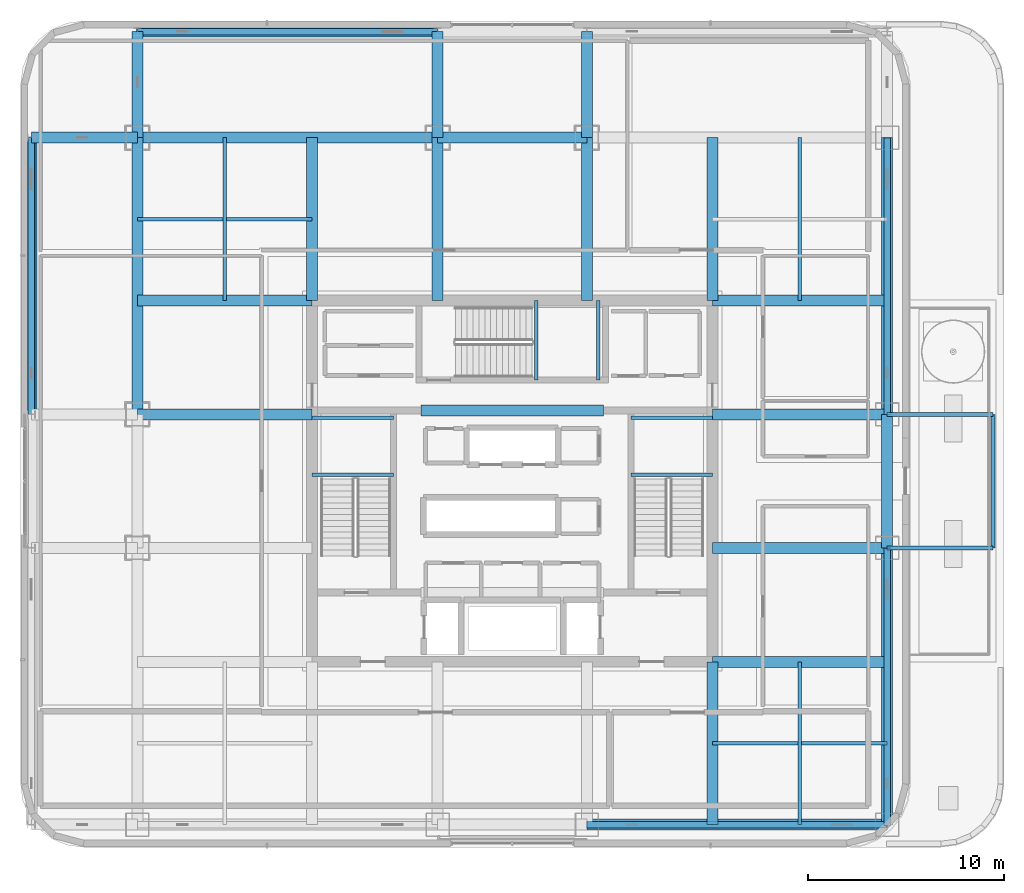
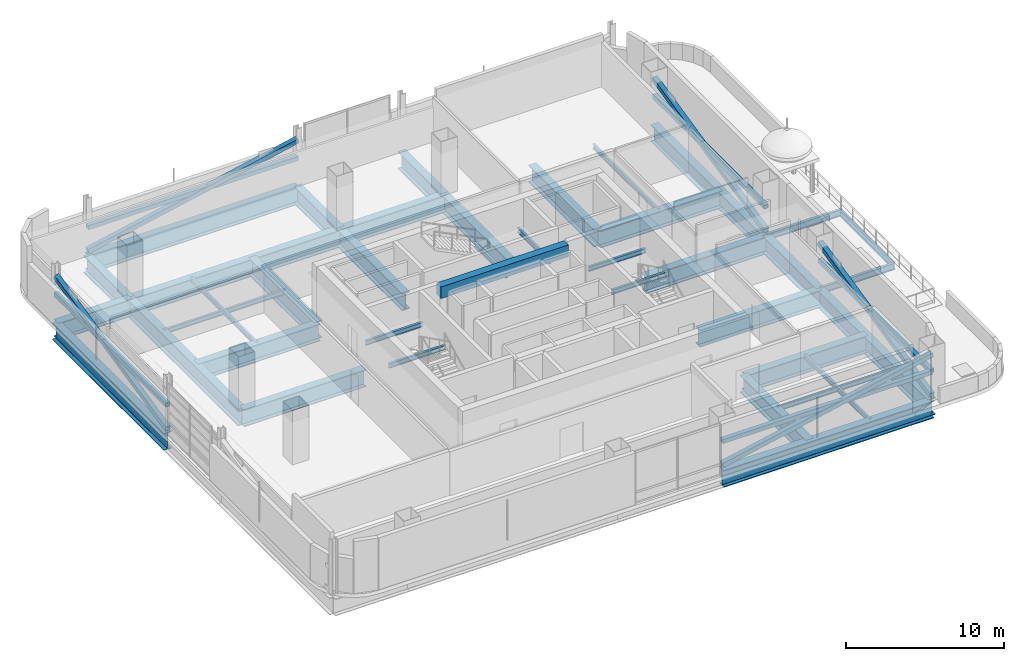
# One storey, part 6 of 31: 39 beams, 10 members.
"""IFC4 building model written with IfcOpenShell, lengths in metres."""

from ifc_helpers import new_model, si_unit, direction, frame, origin, origin_2d, place, context, subcontext, project, spatial, rectangle, hollow_rectangle, i_section, extrude, material, material_profile, profile_set, type_object, element, save


model = new_model("IFC4")

# Units and contexts
model_context = context("Model", 3, precision=1e-05, world=origin(), true_north=direction((0.0, 1.0)))
body_context = subcontext(model_context, "Body", "Model", "MODEL_VIEW")
ifc_project = project(units=[si_unit("LENGTHUNIT", "METRE"), si_unit("AREAUNIT", "SQUARE_METRE"), si_unit("VOLUMEUNIT", "CUBIC_METRE"), si_unit("PLANEANGLEUNIT", "RADIAN"), si_unit("MASSUNIT", "GRAM", prefix="KILO")], contexts=[model_context])

# Site, building, storey
site_placement = place(None, origin())
site = spatial("IfcSite", under=ifc_project, at=site_placement, CompositionType="ELEMENT")
building_placement = place(site_placement, origin())
building = spatial("IfcBuilding", under=site, at=building_placement, Name="Punatoya Terracotta Tower", CompositionType="ELEMENT")
storey_placement = place(building_placement, frame((0.0, 0.0, 283.800048828125)))
storey = spatial("IfcBuildingStorey", under=building, at=storey_placement, Name="L67", CompositionType="ELEMENT", Elevation=283.800048828125)

# Beams
ifc_material_1 = material(Name="Concrete C50/60", Category="concrete")
ifc_material_profile_1 = material_profile(ifc_material_1, rectangle(XDim=0.550048828125, YDim=0.89990234375, at=origin_2d()))
ifc_profile_set_1 = profile_set([ifc_material_profile_1], Name="Concrete C50/60")
beam_type_1 = type_object("IfcBeamType", Name="BM-RC-900", PredefinedType="LINTEL", material=ifc_profile_set_1)
beam_1_placement = place(storey_placement, frame((-4.64990234375, 3.60009765625, 3.550048828125), z_axis=(1.0, 0.0, 0.0), x_axis=(0.0, 1.0, 0.0)))
element("IfcBeam", 1, at=beam_1_placement, inside=storey, type_object=beam_type_1, Name="L67 Core Coupling Lintel CNW", PredefinedType="LINTEL", context=body_context, shape_type="SweptSolid", body=[
    extrude(rectangle(XDim=0.550048828125, YDim=0.89990234375, at=origin_2d()), origin(), (0.0, 0.0, 1.0), 9.2998046875),
])
ifc_material_2 = material(Name="Steel S355", Category="steel")
ifc_material_profile_2 = material_profile(ifc_material_2, i_section(OverallWidth=0.169921875, OverallDepth=0.360107421875, WebThickness=0.008056640625, FlangeThickness=0.0126953125, FilletRadius=0.01806640625, at=origin_2d()))
ifc_profile_set_2 = profile_set([ifc_material_profile_2], Name="Steel S355")
beam_type_2 = type_object("IfcBeamType", Name="BM-SEC-360", PredefinedType="JOIST", material=ifc_profile_set_2)
for number, where, z_axis, x_axis, name in (
    (2, (-19.10009765625, 13.35009765625, -0.4599609375), (1.0, 0.0, 0.0), (0.0, 1.0, 0.0), "BM-L67-SJN-1"),
    (3, (10.199951171875, -13.35009765625, -0.4599609375), (1.0, 0.0, 0.0), (0.0, 1.0, 0.0), "BM-L67-SJS-2"),
):
    element("IfcBeam", number, at=place(storey_placement, frame(where, z_axis=z_axis, x_axis=x_axis)), inside=storey, type_object=beam_type_2, Name=name, PredefinedType="JOIST", context=body_context, shape_type="SweptSolid", body=[
        extrude(i_section(OverallWidth=0.169921875, OverallDepth=0.360107421875, WebThickness=0.008056640625, FlangeThickness=0.0126953125, FilletRadius=0.01806640625, at=origin_2d()), origin(), (0.0, 0.0, 1.0), 8.900146484375),
    ])
for number, where, z_axis, x_axis, name in (
    (4, (14.64990234375, -17.5, -0.4599609375), (0.0, 1.0, 0.0), (-1.0, 0.0, 0.0), "BM-L67-SJE-1"),
    (5, (-14.64990234375, 9.199951171875, -0.4599609375), (0.0, 1.0, 0.0), (-1.0, 0.0, 0.0), "BM-L67-SJW-2"),
    (6, (14.64990234375, 9.199951171875, -0.4599609375), (0.0, 1.0, 0.0), (-1.0, 0.0, 0.0), "BM-L67-SJE-2"),
):
    element("IfcBeam", number, at=place(storey_placement, frame(where, z_axis=z_axis, x_axis=x_axis)), inside=storey, type_object=beam_type_2, Name=name, PredefinedType="JOIST", context=body_context, shape_type="SweptSolid", body=[
        extrude(i_section(OverallWidth=0.169921875, OverallDepth=0.360107421875, WebThickness=0.008056640625, FlangeThickness=0.0126953125, FilletRadius=0.01806640625, at=origin_2d()), origin(), (0.0, 0.0, 1.0), 8.300048828125),
    ])
for number, where, z_axis, x_axis, name in (
    (7, (-10.199951171875, 0.320068359375, 1.719970703125), (1.0, 0.0, 0.0), (0.0, 1.0, 0.0), "BM-L67-ST-1-LD1A"),
    (8, (-10.199951171875, 3.22998046875, 1.719970703125), (1.0, 0.0, 0.0), (0.0, 1.0, 0.0), "BM-L67-ST-1-LD1B"),
    (9, (6.050048828125, 0.320068359375, 1.719970703125), (1.0, 0.0, 0.0), (0.0, 1.0, 0.0), "BM-L67-ST-2-LD1A"),
    (10, (6.050048828125, 3.22998046875, 1.719970703125), (1.0, 0.0, 0.0), (0.0, 1.0, 0.0), "BM-L67-ST-2-LD1B"),
):
    element("IfcBeam", number, at=place(storey_placement, frame(where, z_axis=z_axis, x_axis=x_axis)), inside=storey, type_object=beam_type_2, Name=name, PredefinedType="JOIST", context=body_context, shape_type="SweptSolid", body=[
        extrude(i_section(OverallWidth=0.169921875, OverallDepth=0.360107421875, WebThickness=0.008056640625, FlangeThickness=0.0126953125, FilletRadius=0.01806640625, at=origin_2d()), origin(), (0.0, 0.0, 1.0), 4.14990234375),
    ])
for number, where, z_axis, x_axis, name in (
    (11, (1.219970703125, 5.14990234375, 1.719970703125), (0.0, 1.0, 0.0), (-1.0, 0.0, 0.0), "BM-L67-ST-3-LD1A"),
    (12, (4.3798828125, 5.14990234375, 1.719970703125), (0.0, 1.0, 0.0), (-1.0, 0.0, 0.0), "BM-L67-ST-3-LD1B"),
):
    element("IfcBeam", number, at=place(storey_placement, frame(where, z_axis=z_axis, x_axis=x_axis)), inside=storey, type_object=beam_type_2, Name=name, PredefinedType="JOIST", context=body_context, shape_type="SweptSolid", body=[
        extrude(i_section(OverallWidth=0.169921875, OverallDepth=0.360107421875, WebThickness=0.008056640625, FlangeThickness=0.0126953125, FilletRadius=0.01806640625, at=origin_2d()), origin(), (0.0, 0.0, 1.0), 4.050048828125),
    ])
ifc_material_profile_3 = material_profile(ifc_material_2, i_section(OverallWidth=0.199951171875, OverallDepth=0.5, WebThickness=0.01025390625, FlangeThickness=0.01611328125, FilletRadius=0.01806640625, at=origin_2d()))
ifc_profile_set_3 = profile_set([ifc_material_profile_3], Name="Steel S355")
beam_type_3 = type_object("IfcBeamType", Name="BM-SPN-500", PredefinedType="SPANDREL", material=ifc_profile_set_3)
for number, where, z_axis, x_axis, name in (
    (13, (19.10009765625, -3.39990234375, -0.47998046875), (1.0, 0.0, 0.0), (0.0, 1.0, 0.0), "BM-L67-TERW-1--3"),
    (14, (19.10009765625, 3.39990234375, -0.47998046875), (1.0, 0.0, 0.0), (0.0, 1.0, 0.0), "BM-L67-TERW-1-3"),
):
    element("IfcBeam", number, at=place(storey_placement, frame(where, z_axis=z_axis, x_axis=x_axis)), inside=storey, type_object=beam_type_3, Name=name, PredefinedType="SPANDREL", context=body_context, shape_type="SweptSolid", body=[
        extrude(i_section(OverallWidth=0.199951171875, OverallDepth=0.5, WebThickness=0.01025390625, FlangeThickness=0.01611328125, FilletRadius=0.01806640625, at=origin_2d()), origin(), (0.0, 0.0, 1.0), 5.39990234375),
    ])
beam_2_placement = place(storey_placement, frame((24.5, -3.39990234375, -0.47998046875), z_axis=(0.0, 1.0, 0.0), x_axis=(-1.0, 0.0, 0.0)))
element("IfcBeam", 15, at=beam_2_placement, inside=storey, type_object=beam_type_3, Name="BM-L67-TERE-1", PredefinedType="SPANDREL", context=body_context, shape_type="SweptSolid", body=[
    extrude(i_section(OverallWidth=0.199951171875, OverallDepth=0.5, WebThickness=0.01025390625, FlangeThickness=0.01611328125, FilletRadius=0.01806640625, at=origin_2d()), origin(), (0.0, 0.0, 1.0), 6.7998046875),
])
ifc_material_3 = material(Name="Steel S460", Category="steel")
ifc_material_profile_4 = material_profile(ifc_material_3, i_section(OverallWidth=0.56005859375, OverallDepth=1.320068359375, WebThickness=0.035888671875, FlangeThickness=0.054931640625, FilletRadius=0.01806640625, at=origin_2d()))
ifc_profile_set_4 = profile_set([ifc_material_profile_4], Name="Steel S460")
beam_type_4 = type_object("IfcBeamType", Name="BM-TG-BLK", PredefinedType="BEAM", material=ifc_profile_set_4)
for number, where, z_axis, x_axis, name in (
    (16, (3.800048828125, -17.5, -0.93994140625), (1.0, 0.0, 0.0), (0.0, 1.0, 0.0), "BM-L67-RG-S3"),
    (17, (-19.10009765625, 17.5, -0.93994140625), (1.0, 0.0, 0.0), (0.0, 1.0, 0.0), "BM-L67-RG-N1"),
):
    element("IfcBeam", number, at=place(storey_placement, frame(where, z_axis=z_axis, x_axis=x_axis)), inside=storey, type_object=beam_type_4, Name=name, PredefinedType="BEAM", context=body_context, shape_type="SweptSolid", body=[
        extrude(i_section(OverallWidth=0.56005859375, OverallDepth=1.320068359375, WebThickness=0.035888671875, FlangeThickness=0.054931640625, FilletRadius=0.01806640625, at=origin_2d()), origin(), (0.0, 0.0, 1.0), 15.300048828125),
    ])
beam_3_placement = place(storey_placement, frame((-3.800048828125, 17.5, -0.93994140625), z_axis=(1.0, 0.0, 0.0), x_axis=(0.0, 1.0, 0.0)))
element("IfcBeam", 18, at=beam_3_placement, inside=storey, type_object=beam_type_4, Name="BM-L67-RG-N2", PredefinedType="BEAM", context=body_context, shape_type="SweptSolid", body=[
    extrude(i_section(OverallWidth=0.56005859375, OverallDepth=1.320068359375, WebThickness=0.035888671875, FlangeThickness=0.054931640625, FilletRadius=0.01806640625, at=origin_2d()), origin(), (0.0, 0.0, 1.0), 7.60009765625),
])
for number, where, z_axis, x_axis, name in (
    (19, (-19.10009765625, 3.39990234375, -0.93994140625), (0.0, 1.0, 0.0), (-1.0, 0.0, 0.0), "BM-L67-RG-W3"),
    (20, (19.10009765625, -17.5, -0.93994140625), (0.0, 1.0, 0.0), (-1.0, 0.0, 0.0), "BM-L67-RG-E1"),
):
    element("IfcBeam", number, at=place(storey_placement, frame(where, z_axis=z_axis, x_axis=x_axis)), inside=storey, type_object=beam_type_4, Name=name, PredefinedType="BEAM", context=body_context, shape_type="SweptSolid", body=[
        extrude(i_section(OverallWidth=0.56005859375, OverallDepth=1.320068359375, WebThickness=0.035888671875, FlangeThickness=0.054931640625, FilletRadius=0.01806640625, at=origin_2d()), origin(), (0.0, 0.0, 1.0), 14.10009765625),
    ])
beam_4_placement = place(storey_placement, frame((19.10009765625, -3.39990234375, -0.93994140625), z_axis=(0.0, 1.0, 0.0), x_axis=(-1.0, 0.0, 0.0)))
element("IfcBeam", 21, at=beam_4_placement, inside=storey, type_object=beam_type_4, Name="BM-L67-RG-E2", PredefinedType="BEAM", context=body_context, shape_type="SweptSolid", body=[
    extrude(i_section(OverallWidth=0.56005859375, OverallDepth=1.320068359375, WebThickness=0.035888671875, FlangeThickness=0.054931640625, FilletRadius=0.01806640625, at=origin_2d()), origin(), (0.0, 0.0, 1.0), 6.7998046875),
])
beam_5_placement = place(storey_placement, frame((19.10009765625, 3.39990234375, -0.93994140625), z_axis=(0.0, 1.0, 0.0), x_axis=(-1.0, 0.0, 0.0)))
element("IfcBeam", 22, at=beam_5_placement, inside=storey, type_object=beam_type_4, Name="BM-L67-RG-E3", PredefinedType="BEAM", context=body_context, shape_type="SweptSolid", body=[
    extrude(i_section(OverallWidth=0.56005859375, OverallDepth=1.320068359375, WebThickness=0.035888671875, FlangeThickness=0.054931640625, FilletRadius=0.01806640625, at=origin_2d()), origin(), (0.0, 0.0, 1.0), 14.10009765625),
])
for number, where, z_axis, x_axis, name in (
    (23, (-19.10009765625, 3.39990234375, -0.93994140625), (1.0, 0.0, 0.0), (0.0, 1.0, 0.0), "BM-L67-PR-WE"),
    (24, (-19.10009765625, 9.199951171875, -0.93994140625), (1.0, 0.0, 0.0), (0.0, 1.0, 0.0), "BM-L67-PR-WN"),
    (25, (10.199951171875, -9.199951171875, -0.93994140625), (1.0, 0.0, 0.0), (0.0, 1.0, 0.0), "BM-L67-PR-ES"),
    (26, (10.199951171875, -3.39990234375, -0.93994140625), (1.0, 0.0, 0.0), (0.0, 1.0, 0.0), "BM-L67-PR-ED"),
    (27, (10.199951171875, 3.39990234375, -0.93994140625), (1.0, 0.0, 0.0), (0.0, 1.0, 0.0), "BM-L67-PR-EE"),
    (28, (10.199951171875, 9.199951171875, -0.93994140625), (1.0, 0.0, 0.0), (0.0, 1.0, 0.0), "BM-L67-PR-EN"),
):
    element("IfcBeam", number, at=place(storey_placement, frame(where, z_axis=z_axis, x_axis=x_axis)), inside=storey, type_object=beam_type_4, Name=name, PredefinedType="BEAM", context=body_context, shape_type="SweptSolid", body=[
        extrude(i_section(OverallWidth=0.56005859375, OverallDepth=1.320068359375, WebThickness=0.035888671875, FlangeThickness=0.054931640625, FilletRadius=0.01806640625, at=origin_2d()), origin(), (0.0, 0.0, 1.0), 8.900146484375),
    ])
for number, where, z_axis, x_axis, name in (
    (29, (10.199951171875, -17.5, -0.93994140625), (0.0, 1.0, 0.0), (-1.0, 0.0, 0.0), "BM-L67-PR-S4"),
    (30, (-10.199951171875, 9.199951171875, -0.93994140625), (0.0, 1.0, 0.0), (-1.0, 0.0, 0.0), "BM-L67-PR-N1"),
    (31, (-3.800048828125, 9.199951171875, -0.93994140625), (0.0, 1.0, 0.0), (-1.0, 0.0, 0.0), "BM-L67-PR-N2"),
    (32, (3.800048828125, 9.199951171875, -0.93994140625), (0.0, 1.0, 0.0), (-1.0, 0.0, 0.0), "BM-L67-PR-N3"),
    (33, (10.199951171875, 9.199951171875, -0.93994140625), (0.0, 1.0, 0.0), (-1.0, 0.0, 0.0), "BM-L67-PR-N4"),
):
    element("IfcBeam", number, at=place(storey_placement, frame(where, z_axis=z_axis, x_axis=x_axis)), inside=storey, type_object=beam_type_4, Name=name, PredefinedType="BEAM", context=body_context, shape_type="SweptSolid", body=[
        extrude(i_section(OverallWidth=0.56005859375, OverallDepth=1.320068359375, WebThickness=0.035888671875, FlangeThickness=0.054931640625, FilletRadius=0.01806640625, at=origin_2d()), origin(), (0.0, 0.0, 1.0), 8.300048828125),
    ])
for number, where, z_axis, x_axis, name in (
    (34, (-24.5, 17.5, -0.93994140625), (1.0, 0.0, 0.0), (0.0, 1.0, 0.0), "BM-L67-CANT-W4"),
    (35, (-19.10009765625, 17.5, -0.93994140625), (0.0, 1.0, 0.0), (-1.0, 0.0, 0.0), "BM-L67-CANT-N1"),
    (36, (-3.800048828125, 17.5, -0.93994140625), (0.0, 1.0, 0.0), (-1.0, 0.0, 0.0), "BM-L67-CANT-N2"),
    (37, (3.800048828125, 17.5, -0.93994140625), (0.0, 1.0, 0.0), (-1.0, 0.0, 0.0), "BM-L67-CANT-N3"),
):
    element("IfcBeam", number, at=place(storey_placement, frame(where, z_axis=z_axis, x_axis=x_axis)), inside=storey, type_object=beam_type_4, Name=name, PredefinedType="BEAM", context=body_context, shape_type="SweptSolid", body=[
        extrude(i_section(OverallWidth=0.56005859375, OverallDepth=1.320068359375, WebThickness=0.035888671875, FlangeThickness=0.054931640625, FilletRadius=0.01806640625, at=origin_2d()), origin(), (0.0, 0.0, 1.0), 5.39990234375),
    ])
beam_6_placement = place(storey_placement, frame((-19.10009765625, 22.89990234375, -0.93994140625), z_axis=(1.0, 0.0, 0.0), x_axis=(0.0, 1.0, 0.0)))
element("IfcBeam", 38, at=beam_6_placement, inside=storey, type_object=beam_type_4, Name="BM-L67-PER-N1", PredefinedType="BEAM", context=body_context, shape_type="SweptSolid", body=[
    extrude(i_section(OverallWidth=0.56005859375, OverallDepth=1.320068359375, WebThickness=0.035888671875, FlangeThickness=0.054931640625, FilletRadius=0.01806640625, at=origin_2d()), origin(), (0.0, 0.0, 1.0), 15.300048828125),
])
beam_7_placement = place(storey_placement, frame((-24.5, 3.39990234375, -0.93994140625), z_axis=(0.0, 1.0, 0.0), x_axis=(-1.0, 0.0, 0.0)))
element("IfcBeam", 39, at=beam_7_placement, inside=storey, type_object=beam_type_4, Name="BM-L67-PER-W3", PredefinedType="BEAM", context=body_context, shape_type="SweptSolid", body=[
    extrude(i_section(OverallWidth=0.56005859375, OverallDepth=1.320068359375, WebThickness=0.035888671875, FlangeThickness=0.054931640625, FilletRadius=0.01806640625, at=origin_2d()), origin(), (0.0, 0.0, 1.0), 14.10009765625),
])

# Members
ifc_material_profile_5 = material_profile(ifc_material_3, hollow_rectangle(XDim=0.320068359375, YDim=0.320068359375, WallThickness=0.01806640625, at=origin_2d()))
ifc_profile_set_5 = profile_set([ifc_material_profile_5], Name="Steel S460")
member_type_1 = type_object("IfcMemberType", Name="MEM-CHD-320", PredefinedType="CHORD", material=ifc_profile_set_5)
for number, where, z_axis, x_axis, name in (
    (40, (3.800048828125, -17.5, 1.849853515625), (1.0, 0.0, 0.0), (0.0, 1.0, 0.0), "L67 Exoskeleton Belt Truss Tie Chord S3"),
    (41, (-19.10009765625, 22.89990234375, 1.849853515625), (1.0, 0.0, 0.0), (0.0, 1.0, 0.0), "L67 Exoskeleton Belt Truss Tie Chord N1"),
):
    element("IfcMember", number, at=place(storey_placement, frame(where, z_axis=z_axis, x_axis=x_axis)), inside=storey, type_object=member_type_1, Name=name, PredefinedType="CHORD", context=body_context, shape_type="SweptSolid", body=[
        extrude(hollow_rectangle(XDim=0.320068359375, YDim=0.320068359375, WallThickness=0.01806640625, at=origin_2d()), origin(), (0.0, 0.0, 1.0), 15.300048828125),
    ])
for number, where, z_axis, x_axis, name in (
    (42, (-24.5, 3.39990234375, 1.849853515625), (0.0, 1.0, 0.0), (-1.0, 0.0, 0.0), "L67 Exoskeleton Belt Truss Tie Chord W3"),
    (43, (19.10009765625, -17.5, 1.849853515625), (0.0, 1.0, 0.0), (-1.0, 0.0, 0.0), "L67 Exoskeleton Belt Truss Tie Chord E1"),
    (44, (19.10009765625, 3.39990234375, 1.849853515625), (0.0, 1.0, 0.0), (-1.0, 0.0, 0.0), "L67 Exoskeleton Belt Truss Tie Chord E3"),
):
    element("IfcMember", number, at=place(storey_placement, frame(where, z_axis=z_axis, x_axis=x_axis)), inside=storey, type_object=member_type_1, Name=name, PredefinedType="CHORD", context=body_context, shape_type="SweptSolid", body=[
        extrude(hollow_rectangle(XDim=0.320068359375, YDim=0.320068359375, WallThickness=0.01806640625, at=origin_2d()), origin(), (0.0, 0.0, 1.0), 14.10009765625),
    ])
ifc_material_profile_6 = material_profile(ifc_material_3, hollow_rectangle(XDim=0.35009765625, YDim=0.35009765625, WallThickness=0.01806640625, at=origin_2d()))
ifc_profile_set_6 = profile_set([ifc_material_profile_6], Name="Steel S460")
member_type_2 = type_object("IfcMemberType", Name="MEM-EXO-350", PredefinedType="BRACE", material=ifc_profile_set_6)
for number, where, z_axis, x_axis, name in (
    (45, (3.800048828125, -17.5, 0.02001953125), (0.979077140745, 0.0, 0.203489440684), (0.0, 1.0, 0.0), "L67 Exoskeleton Belt Brace S3"),
    (46, (-19.10009765625, 22.89990234375, 0.02001953125), (0.979077140745, 0.0, 0.203489440684), (0.0, 1.0, 0.0), "L67 Exoskeleton Belt Brace N1"),
):
    element("IfcMember", number, at=place(storey_placement, frame(where, z_axis=z_axis, x_axis=x_axis)), inside=storey, type_object=member_type_2, Name=name, PredefinedType="BRACE", context=body_context, shape_type="SweptSolid", body=[
        extrude(hollow_rectangle(XDim=0.35009765625, YDim=0.35009765625, WallThickness=0.01806640625, at=origin_2d()), origin(), (0.0, 0.0, 1.0), 15.626953125),
    ])
for number, where, z_axis, x_axis, name in (
    (47, (-24.5, 3.39990234375, 0.02001953125), (0.0, 0.975499850193, 0.220000096076), (-1.0, 0.0, 0.0), "L67 Exoskeleton Belt Brace W3"),
    (48, (19.10009765625, -17.5, 0.02001953125), (0.0, 0.975499850193, 0.220000096076), (-1.0, 0.0, 0.0), "L67 Exoskeleton Belt Brace E1"),
    (49, (19.10009765625, 3.39990234375, 0.02001953125), (0.0, 0.975499850193, 0.220000096076), (-1.0, 0.0, 0.0), "L67 Exoskeleton Belt Brace E3"),
):
    element("IfcMember", number, at=place(storey_placement, frame(where, z_axis=z_axis, x_axis=x_axis)), inside=storey, type_object=member_type_2, Name=name, PredefinedType="BRACE", context=body_context, shape_type="SweptSolid", body=[
        extrude(hollow_rectangle(XDim=0.35009765625, YDim=0.35009765625, WallThickness=0.01806640625, at=origin_2d()), origin(), (0.0, 0.0, 1.0), 14.454345703125),
    ])

save(model, "model.ifc")
